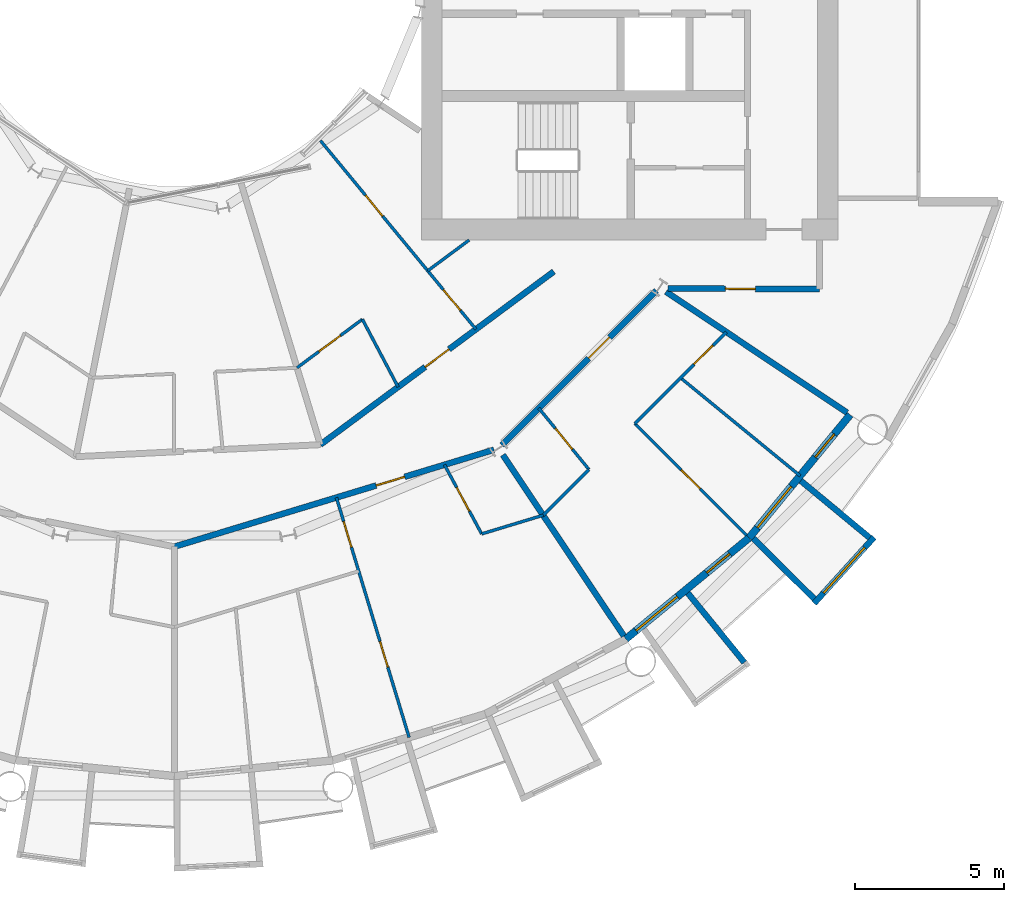
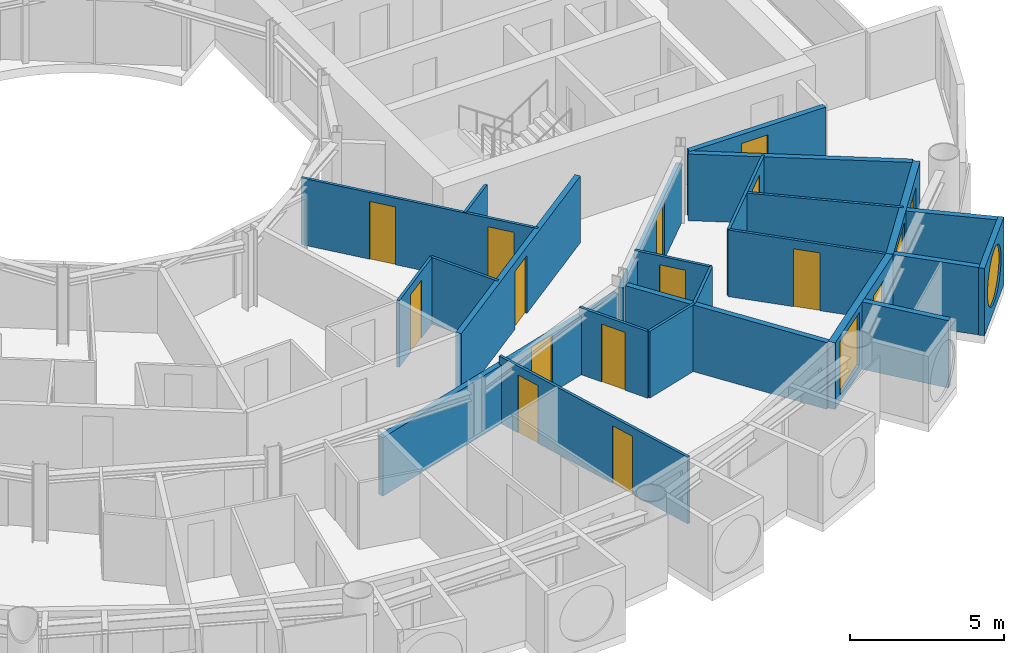
# One storey, part 16 of 25: 24 walls, 15 doors, 3 windows, 18 openings.
"""IFC4 building model written with IfcOpenShell, lengths in metres."""

from ifc_helpers import new_model, si_unit, direction, frame, frame_2d, origin, place, context, subcontext, project, spatial, rectangle, circle, extrude, material, layer, layer_set, type_object, element, fill, save


model = new_model("IFC4")

# Units and contexts
model_context = context("Model", 3, precision=1e-05, world=origin(), true_north=direction((0.0, 1.0)))
body_context = subcontext(model_context, "Body", "Model", "MODEL_VIEW")
ifc_project = project(units=[si_unit("LENGTHUNIT", "METRE"), si_unit("AREAUNIT", "SQUARE_METRE"), si_unit("VOLUMEUNIT", "CUBIC_METRE"), si_unit("PLANEANGLEUNIT", "RADIAN"), si_unit("MASSUNIT", "GRAM", prefix="KILO")], contexts=[model_context])

# Site, building, storey
site_placement = place(None, origin())
site = spatial("IfcSite", under=ifc_project, at=site_placement, CompositionType="ELEMENT")
building_placement = place(site_placement, origin())
building = spatial("IfcBuilding", under=site, at=building_placement, Name="Maasbend Ring Residences", CompositionType="ELEMENT")
storey_placement = place(building_placement, frame((0.0, 0.0, 94.10009765625)))
storey = spatial("IfcBuildingStorey", under=building, at=storey_placement, Name="L27", CompositionType="ELEMENT", Elevation=94.10009765625)

# Wall, opening, door
ifc_material_1 = material(Name="Concrete C30/37", Category="concrete")
ifc_layer_1 = layer(ifc_material_1, 0.199951171875)
ifc_layer_set_1 = layer_set([ifc_layer_1], Name="Concrete C30/37")
wall_type_1 = type_object("IfcWallType", Name="CORRIDOR WALL 200 CONCRETE", PredefinedType="PARTITIONING", material=ifc_layer_set_1)
wall_1_placement = place(storey_placement, frame((11.0, -16.18603515625, 0.0), z_axis=(0.0, 0.0, 1.0), x_axis=(0.707106781187, 0.707106781187, 0.0)))
wall_1 = element("IfcWall", 1, at=wall_1_placement, inside=storey, type_object=wall_type_1, Name="U-L27-w012", PredefinedType="PARTITIONING", context=body_context, shape_type="SweptSolid", body=[
    extrude(rectangle(XDim=7.334228515625, YDim=0.199951171875, at=frame_2d((3.6669921875, 0.0))), origin(), (0.0, 0.0, 1.0), 2.329833984375),
])
opening_1_placement = place(wall_1_placement, frame((4.123046875, 0.0, 0.0)))
opening_1 = element("IfcOpeningElement", 2, at=opening_1_placement, cuts=wall_1, Name="Opening D-2748", PredefinedType="OPENING", context=body_context, shape_type="SweptSolid", body=[
    extrude(rectangle(XDim=1.0, YDim=2.300048828125, at=frame_2d((0.5, 1.14990234375))), frame((0.0, 0.10986328125, 0.0), z_axis=(0.0, -1.0, 0.0), x_axis=(1.0, 0.0, 0.0)), (0.0, 0.0, 1.0), 0.219970703125),
])
ifc_material_2 = material(Name="Timber, fire-rated, painted", Category="wood")
door_type_1 = type_object("IfcDoorType", Name="FLAT ENTRANCE DOOR 1000 X 2300 FIRE-RATED", OperationType="NOTDEFINED", PredefinedType="DOOR", material=ifc_material_2)
door_1_placement = place(opening_1_placement, origin())
door_1 = element("IfcDoor", 3, at=door_1_placement, inside=storey, type_object=door_type_1, Name="D-2748", OperationType="SINGLE_SWING_RIGHT", OverallHeight=2.300048828125, OverallWidth=1.0, PredefinedType="DOOR", context=body_context, shape_type="SweptSolid", body=[
    extrude(rectangle(XDim=1.0, YDim=2.300048828125, at=frame_2d((0.5, 1.14990234375))), frame((0.0, 0.02490234375, 0.0), z_axis=(0.0, -1.0, 0.0), x_axis=(1.0, 0.0, 0.0)), (0.0, 0.0, 1.0), 0.050048828125),
])
fill(opening_1, door_1)

wall_2_placement = place(storey_placement, frame((0.0, -19.60009765625, 0.0), z_axis=(0.0, 0.0, 1.0), x_axis=(0.956932298225, 0.290311172044, 0.0)))
wall_2 = element("IfcWall", 4, at=wall_2_placement, inside=storey, type_object=wall_type_1, Name="U-L27-w014", PredefinedType="PARTITIONING", context=body_context, shape_type="SweptSolid", body=[
    extrude(rectangle(XDim=11.21923828125, YDim=0.199951171875, at=frame_2d((5.609619140625, 0.0))), origin(), (0.0, 0.0, 1.0), 2.329833984375),
])
opening_2_placement = place(wall_2_placement, frame((7.0859375, 0.0, 0.0)))
opening_2 = element("IfcOpeningElement", 5, at=opening_2_placement, cuts=wall_2, Name="Opening D-2742", PredefinedType="OPENING", context=body_context, shape_type="SweptSolid", body=[
    extrude(rectangle(XDim=1.0, YDim=2.300048828125, at=frame_2d((0.5, 1.14990234375))), frame((0.0, 0.10986328125, 0.0), z_axis=(0.0, -1.0, 0.0), x_axis=(1.0, 0.0, 0.0)), (0.0, 0.0, 1.0), 0.219970703125),
])
door_2_placement = place(opening_2_placement, origin())
door_2 = element("IfcDoor", 6, at=door_2_placement, inside=storey, type_object=door_type_1, Name="D-2742", OperationType="SINGLE_SWING_RIGHT", OverallHeight=2.300048828125, OverallWidth=1.0, PredefinedType="DOOR", context=body_context, shape_type="SweptSolid", body=[
    extrude(rectangle(XDim=1.0, YDim=2.300048828125, at=frame_2d((0.5, 1.14990234375))), frame((0.0, 0.02490234375, 0.0), z_axis=(0.0, -1.0, 0.0), x_axis=(1.0, 0.0, 0.0)), (0.0, 0.0, 1.0), 0.050048828125),
])
fill(opening_2, door_2)

wall_3_placement = place(storey_placement, frame((4.906005859375, -16.172119140625, 0.0), z_axis=(0.0, 0.0, 1.0), x_axis=(0.803191461888, 0.595720971219, 0.0)))
wall_3 = element("IfcWall", 7, at=wall_3_placement, inside=storey, type_object=wall_type_1, Name="U-L27-w016", PredefinedType="PARTITIONING", context=body_context, shape_type="SweptSolid", body=[
    extrude(rectangle(XDim=9.760009765625, YDim=0.199951171875, at=frame_2d((4.8798828125, 0.0))), origin(), (0.0, 0.0, 1.0), 2.64990234375),
])
opening_3_placement = place(wall_3_placement, frame((4.3798828125, 0.0, 0.0)))
opening_3 = element("IfcOpeningElement", 8, at=opening_3_placement, cuts=wall_3, Name="Opening D-2759", PredefinedType="OPENING", context=body_context, shape_type="SweptSolid", body=[
    extrude(rectangle(XDim=1.0, YDim=2.300048828125, at=frame_2d((0.5, 1.14990234375))), frame((0.0, 0.10986328125, 0.0), z_axis=(0.0, -1.0, 0.0), x_axis=(1.0, 0.0, 0.0)), (0.0, 0.0, 1.0), 0.219970703125),
])
door_3_placement = place(opening_3_placement, origin())
door_3 = element("IfcDoor", 9, at=door_3_placement, inside=storey, type_object=door_type_1, Name="D-2759", OperationType="SINGLE_SWING_LEFT", OverallHeight=2.300048828125, OverallWidth=1.0, PredefinedType="DOOR", context=body_context, shape_type="SweptSolid", body=[
    extrude(rectangle(XDim=1.0, YDim=2.300048828125, at=frame_2d((0.5, 1.14990234375))), frame((0.0, 0.02490234375, 0.0), z_axis=(0.0, -1.0, 0.0), x_axis=(1.0, 0.0, 0.0)), (0.0, 0.0, 1.0), 0.050048828125),
])
fill(opening_3, door_3)

wall_4_placement = place(storey_placement, frame((16.587890625, -10.925048828125, 0.0), z_axis=(0.0, 0.0, 1.0), x_axis=(0.999988019025, -0.004895079807, 0.0)))
wall_4 = element("IfcWall", 10, at=wall_4_placement, inside=storey, type_object=wall_type_1, Name="U-L27-w025", PredefinedType="PARTITIONING", context=body_context, shape_type="SweptSolid", body=[
    extrude(rectangle(XDim=5.087158203125, YDim=0.199951171875, at=frame_2d((2.54345703125, 0.0))), origin(), (0.0, 0.0, 1.0), 2.64990234375),
])
opening_4_placement = place(wall_4_placement, frame((1.925048828125, 0.0, 0.0)))
opening_4 = element("IfcOpeningElement", 11, at=opening_4_placement, cuts=wall_4, Name="Opening D-2765", PredefinedType="OPENING", context=body_context, shape_type="SweptSolid", body=[
    extrude(rectangle(XDim=1.0, YDim=2.300048828125, at=frame_2d((0.5, 1.14990234375))), frame((0.0, 0.10986328125, 0.0), z_axis=(0.0, -1.0, 0.0), x_axis=(1.0, 0.0, 0.0)), (0.0, 0.0, 1.0), 0.219970703125),
])
ifc_material_3 = material(Name="Timber, painted", Category="wood")
door_type_2 = type_object("IfcDoorType", Name="ROOM DOOR 1000 X 2300", OperationType="NOTDEFINED", PredefinedType="DOOR", material=ifc_material_3)
door_4_placement = place(opening_4_placement, origin())
door_4 = element("IfcDoor", 12, at=door_4_placement, inside=storey, type_object=door_type_2, Name="D-2765", OperationType="SINGLE_SWING_LEFT", OverallHeight=2.300048828125, OverallWidth=1.0, PredefinedType="DOOR", context=body_context, shape_type="SweptSolid", body=[
    extrude(rectangle(XDim=1.0, YDim=2.300048828125, at=frame_2d((0.5, 1.14990234375))), frame((0.0, 0.02490234375, 0.0), z_axis=(0.0, -1.0, 0.0), x_axis=(1.0, 0.0, 0.0)), (0.0, 0.0, 1.0), 0.050048828125),
])
fill(opening_4, door_4)

# Wall
ifc_material_4 = material(Name="Pale anodised aluminium panel", Category="aluminium")
ifc_layer_2 = layer(ifc_material_4, 0.199951171875)
ifc_layer_set_2 = layer_set([ifc_layer_2], Name="EW-BOX")
wall_type_2 = type_object("IfcWallType", Name="EW-BOX", PredefinedType="SOLIDWALL", material=ifc_layer_set_2)
wall_5_placement = place(storey_placement, frame((17.24609375, -21.155029296875, -0.030029296875), z_axis=(0.0, 0.0, 1.0), x_axis=(0.631741648902, -0.775179004516, 0.0)))
element("IfcWall", 13, at=wall_5_placement, inside=storey, type_object=wall_type_2, Name="Box side wall S17 right", PredefinedType="SOLIDWALL", context=body_context, shape_type="SweptSolid", body=[
    extrude(rectangle(XDim=3.005859375, YDim=0.199951171875, at=frame_2d((1.5029296875, 0.0))), origin(), (0.0, 0.0, 1.0), 2.679931640625),
])

# Wall, opening, window
wall_6_placement = place(storey_placement, frame((21.492919921875, -21.5, -0.030029296875), z_axis=(0.0, 0.0, 1.0), x_axis=(0.671506829416, 0.740998365753, 0.0)))
wall_6 = element("IfcWall", 14, at=wall_6_placement, inside=storey, type_object=wall_type_2, Name="Box front S19", PredefinedType="SOLIDWALL", context=body_context, shape_type="SweptSolid", body=[
    extrude(rectangle(XDim=2.9931640625, YDim=0.199951171875, at=frame_2d((1.49658203125, 0.0))), origin(), (0.0, 0.0, 1.0), 2.679931640625),
])
opening_5_placement = place(wall_6_placement, frame((0.45654296875, 0.0, 0.330078125)))
opening_5 = element("IfcOpeningElement", 15, at=opening_5_placement, cuts=wall_6, Name="Opening W-RD", PredefinedType="OPENING", context=body_context, shape_type="SweptSolid", body=[
    extrude(circle(Radius=1.0400390625, at=frame_2d((1.0400390625, 1.0400390625))), frame((0.0, 0.10986328125, 0.0), z_axis=(0.0, -1.0, 0.0), x_axis=(1.0, 0.0, 0.0)), (0.0, 0.0, 1.0), 0.219970703125),
])
ifc_material_5 = material(Name="Aluminium and clear glass", Category="aluminium")
window_type_1 = type_object("IfcWindowType", Name="W-RD", PartitioningType="SINGLE_PANEL", PredefinedType="WINDOW", material=ifc_material_5)
window_1_placement = place(opening_5_placement, origin())
window_1 = element("IfcWindow", 16, at=window_1_placement, inside=storey, type_object=window_type_1, Name="Round window S19", OverallHeight=2.080078125, OverallWidth=2.080078125, PartitioningType="SINGLE_PANEL", PredefinedType="WINDOW", context=body_context, shape_type="SweptSolid", body=[
    extrude(circle(Radius=1.0400390625, at=frame_2d((1.0400390625, 1.0400390625))), frame((0.0, 0.030029296875, 0.0), z_axis=(0.0, -1.0, 0.0), x_axis=(1.0, 0.0, 0.0)), (0.0, 0.0, 1.0), 0.06005859375),
])
fill(opening_5, window_1)

# Walls
wall_7_placement = place(storey_placement, frame((19.449951171875, -19.322998046875, -0.030029296875), z_axis=(0.0, 0.0, 1.0), x_axis=(0.709727076896, -0.704476739375, 0.0)))
element("IfcWall", 17, at=wall_7_placement, inside=storey, type_object=wall_type_2, Name="Box side wall S19 left", PredefinedType="SOLIDWALL", context=body_context, shape_type="SweptSolid", body=[
    extrude(rectangle(XDim=2.883056640625, YDim=0.199951171875, at=frame_2d((1.44140625, 0.0))), origin(), (0.0, 0.0, 1.0), 2.679931640625),
])
wall_8_placement = place(storey_placement, frame((21.041015625, -17.384033203125, -0.030029296875), z_axis=(0.0, 0.0, 1.0), x_axis=(0.770784861449, -0.63709551667, 0.0)))
element("IfcWall", 18, at=wall_8_placement, inside=storey, type_object=wall_type_2, Name="Box side wall S19 right", PredefinedType="SOLIDWALL", context=body_context, shape_type="SweptSolid", body=[
    extrude(rectangle(XDim=3.005859375, YDim=0.199951171875, at=frame_2d((1.5029296875, 0.0))), origin(), (0.0, 0.0, 1.0), 2.679931640625),
])

# Wall, openings, door, window
ifc_material_6 = material(Name="Aluminium clad insulated panel", Category="aluminium")
ifc_layer_3 = layer(ifc_material_6, 0.25)
ifc_layer_set_3 = layer_set([ifc_layer_3], Name="EW-GL")
wall_type_3 = type_object("IfcWallType", Name="EW-GL", PredefinedType="SOLIDWALL", material=ifc_layer_set_3)
wall_9_placement = place(storey_placement, frame((15.1669921875, -22.698974609375, 0.0), z_axis=(0.0, 0.0, 1.0), x_axis=(0.773019449054, 0.634382322723, 0.0)))
wall_9 = element("IfcWall", 19, at=wall_9_placement, inside=storey, type_object=wall_type_3, Name="External wall S09", PredefinedType="SOLIDWALL", context=body_context, shape_type="SweptSolid", body=[
    extrude(rectangle(XDim=5.351806640625, YDim=0.25, at=frame_2d((2.67578125, 0.0))), origin(), (0.0, 0.0, 1.0), 2.64990234375),
])
opening_6_placement = place(wall_9_placement, frame((0.441162109375, 0.0, 0.300048828125)))
opening_6 = element("IfcOpeningElement", 20, at=opening_6_placement, cuts=wall_9, Name="Opening W-BX", PredefinedType="OPENING", context=body_context, shape_type="SweptSolid", body=[
    extrude(rectangle(XDim=1.800048828125, YDim=2.10009765625, at=frame_2d((0.89990234375, 1.050048828125))), frame((0.0, 0.135009765625, 0.0), z_axis=(0.0, -1.0, 0.0), x_axis=(1.0, 0.0, 0.0)), (0.0, 0.0, 1.0), 0.27001953125),
])
opening_7_placement = place(wall_9_placement, frame((3.510498046875, 0.0, 0.0)))
opening_7 = element("IfcOpeningElement", 21, at=opening_7_placement, cuts=wall_9, Name="Opening D-LG", PredefinedType="OPENING", context=body_context, shape_type="SweptSolid", body=[
    extrude(rectangle(XDim=1.0, YDim=2.199951171875, at=frame_2d((0.5, 1.10009765625))), frame((0.0, 0.135009765625, 0.0), z_axis=(0.0, -1.0, 0.0), x_axis=(1.0, 0.0, 0.0)), (0.0, 0.0, 1.0), 0.27001953125),
])
ifc_material_7 = material(Name="Aluminium and clear glass", Category="aluminium")
door_type_3 = type_object("IfcDoorType", Name="D-LG", OperationType="SINGLE_SWING_LEFT", PredefinedType="DOOR", material=ifc_material_7)
door_5_placement = place(opening_7_placement, origin())
door_5 = element("IfcDoor", 22, at=door_5_placement, inside=storey, type_object=door_type_3, Name="Loggia door S18", OperationType="SINGLE_SWING_LEFT", OverallHeight=2.199951171875, OverallWidth=1.0, PredefinedType="DOOR", context=body_context, shape_type="SweptSolid", body=[
    extrude(rectangle(XDim=1.0, YDim=2.199951171875, at=frame_2d((0.5, 1.10009765625))), frame((0.0, 0.02490234375, 0.0), z_axis=(0.0, -1.0, 0.0), x_axis=(1.0, 0.0, 0.0)), (0.0, 0.0, 1.0), 0.050048828125),
])
fill(opening_7, door_5)
ifc_material_8 = material(Name="Aluminium and clear glass", Category="aluminium")
window_type_2 = type_object("IfcWindowType", Name="W-BX", PartitioningType="DOUBLE_PANEL_VERTICAL", PredefinedType="WINDOW", material=ifc_material_8)
window_2_placement = place(opening_6_placement, origin())
window_2 = element("IfcWindow", 23, at=window_2_placement, inside=storey, type_object=window_type_2, Name="Window S17 room to box", OverallHeight=2.10009765625, OverallWidth=1.800048828125, PartitioningType="SINGLE_PANEL", PredefinedType="WINDOW", context=body_context, shape_type="SweptSolid", body=[
    extrude(rectangle(XDim=1.800048828125, YDim=2.10009765625, at=frame_2d((0.89990234375, 1.050048828125))), frame((0.0, 0.030029296875, 0.0), z_axis=(0.0, -1.0, 0.0), x_axis=(1.0, 0.0, 0.0)), (0.0, 0.0, 1.0), 0.06005859375),
])
fill(opening_6, window_2)

wall_10_placement = place(storey_placement, frame((19.303955078125, -19.303955078125, 0.0), z_axis=(0.0, 0.0, 1.0), x_axis=(0.634382322723, 0.773019449054, 0.0)))
wall_10 = element("IfcWall", 24, at=wall_10_placement, inside=storey, type_object=wall_type_3, Name="External wall S10", PredefinedType="SOLIDWALL", context=body_context, shape_type="SweptSolid", body=[
    extrude(rectangle(XDim=5.351806640625, YDim=0.25, at=frame_2d((2.67578125, 0.0))), origin(), (0.0, 0.0, 1.0), 2.64990234375),
])
opening_8_placement = place(wall_10_placement, frame((0.441162109375, 0.0, 0.300048828125)))
opening_8 = element("IfcOpeningElement", 25, at=opening_8_placement, cuts=wall_10, Name="Opening W-BX", PredefinedType="OPENING", context=body_context, shape_type="SweptSolid", body=[
    extrude(rectangle(XDim=1.800048828125, YDim=2.10009765625, at=frame_2d((0.89990234375, 1.050048828125))), frame((0.0, 0.135009765625, 0.0), z_axis=(0.0, -1.0, 0.0), x_axis=(1.0, 0.0, 0.0)), (0.0, 0.0, 1.0), 0.27001953125),
])
opening_9_placement = place(wall_10_placement, frame((3.510498046875, 0.0, 0.0)))
opening_9 = element("IfcOpeningElement", 26, at=opening_9_placement, cuts=wall_10, Name="Opening D-LG", PredefinedType="OPENING", context=body_context, shape_type="SweptSolid", body=[
    extrude(rectangle(XDim=1.0, YDim=2.199951171875, at=frame_2d((0.5, 1.10009765625))), frame((0.0, 0.135009765625, 0.0), z_axis=(0.0, -1.0, 0.0), x_axis=(1.0, 0.0, 0.0)), (0.0, 0.0, 1.0), 0.27001953125),
])
door_6_placement = place(opening_9_placement, origin())
door_6 = element("IfcDoor", 27, at=door_6_placement, inside=storey, type_object=door_type_3, Name="Loggia door S20", OperationType="SINGLE_SWING_LEFT", OverallHeight=2.199951171875, OverallWidth=1.0, PredefinedType="DOOR", context=body_context, shape_type="SweptSolid", body=[
    extrude(rectangle(XDim=1.0, YDim=2.199951171875, at=frame_2d((0.5, 1.10009765625))), frame((0.0, 0.02490234375, 0.0), z_axis=(0.0, -1.0, 0.0), x_axis=(1.0, 0.0, 0.0)), (0.0, 0.0, 1.0), 0.050048828125),
])
fill(opening_9, door_6)
window_3_placement = place(opening_8_placement, origin())
window_3 = element("IfcWindow", 28, at=window_3_placement, inside=storey, type_object=window_type_2, Name="Window S19 room to box", OverallHeight=2.10009765625, OverallWidth=1.800048828125, PartitioningType="SINGLE_PANEL", PredefinedType="WINDOW", context=body_context, shape_type="SweptSolid", body=[
    extrude(rectangle(XDim=1.800048828125, YDim=2.10009765625, at=frame_2d((0.89990234375, 1.050048828125))), frame((0.0, 0.030029296875, 0.0), z_axis=(0.0, -1.0, 0.0), x_axis=(1.0, 0.0, 0.0)), (0.0, 0.0, 1.0), 0.06005859375),
])
fill(opening_8, window_3)

# Wall
ifc_material_9 = material(Name="Gypsum board on steel studs", Category="steel")
ifc_layer_4 = layer(ifc_material_9, 0.10009765625)
ifc_layer_set_4 = layer_set([ifc_layer_4], Name="PARTITION 100 GYPSUM")
wall_type_4 = type_object("IfcWallType", Name="PARTITION 100 GYPSUM", PredefinedType="PARTITIONING", material=ifc_layer_set_4)
wall_11_placement = place(storey_placement, frame((12.388916015625, -18.5419921875, 0.0), z_axis=(0.0, 0.0, 1.0), x_axis=(0.707106781187, 0.707106781187, 0.0)))
element("IfcWall", 29, at=wall_11_placement, inside=storey, type_object=wall_type_4, Name="U-L27-w003", PredefinedType="PARTITIONING", context=body_context, shape_type="SweptSolid", body=[
    extrude(rectangle(XDim=2.17529296875, YDim=0.10009765625, at=frame_2d((1.087646484375, 0.0))), origin(), (0.0, 0.0, 1.0), 2.64990234375),
])

# Wall, opening, door
wall_12_placement = place(storey_placement, frame((15.468017578125, -15.462890625, 0.0), z_axis=(0.0, 0.0, 1.0), x_axis=(0.707106781187, 0.707106781187, 0.0)))
wall_12 = element("IfcWall", 30, at=wall_12_placement, inside=storey, type_object=wall_type_4, Name="U-L27-w004", PredefinedType="PARTITIONING", context=body_context, shape_type="SweptSolid", body=[
    extrude(rectangle(XDim=4.351318359375, YDim=0.10009765625, at=frame_2d((2.17578125, 0.0))), origin(), (0.0, 0.0, 1.0), 2.64990234375),
])
opening_10_placement = place(wall_12_placement, frame((2.80810546875, 0.0, 0.0)))
opening_10 = element("IfcOpeningElement", 31, at=opening_10_placement, cuts=wall_12, Name="Opening D-2751", PredefinedType="OPENING", context=body_context, shape_type="SweptSolid", body=[
    extrude(rectangle(XDim=0.89990234375, YDim=2.300048828125, at=frame_2d((0.449951171875, 1.14990234375))), frame((0.0, 0.06005859375, 0.0), z_axis=(0.0, -1.0, 0.0), x_axis=(1.0, 0.0, 0.0)), (0.0, 0.0, 1.0), 0.1201171875),
])
ifc_material_10 = material(Name="Timber, painted", Category="wood")
door_type_4 = type_object("IfcDoorType", Name="INTERNAL DOOR 900 X 2300", OperationType="NOTDEFINED", PredefinedType="DOOR", material=ifc_material_10)
door_7_placement = place(opening_10_placement, origin())
door_7 = element("IfcDoor", 32, at=door_7_placement, inside=storey, type_object=door_type_4, Name="D-2751", OperationType="SINGLE_SWING_RIGHT", OverallHeight=2.300048828125, OverallWidth=0.89990234375, PredefinedType="DOOR", context=body_context, shape_type="SweptSolid", body=[
    extrude(rectangle(XDim=0.89990234375, YDim=2.300048828125, at=frame_2d((0.449951171875, 1.14990234375))), frame((0.0, 0.02490234375, 0.0), z_axis=(0.0, -1.0, 0.0), x_axis=(1.0, 0.0, 0.0)), (0.0, 0.0, 1.0), 0.050048828125),
])
fill(opening_10, door_7)

# Wall
wall_13_placement = place(storey_placement, frame((10.326904296875, -19.16796875, 0.0), z_axis=(0.0, 0.0, 1.0), x_axis=(0.956877769253, 0.290490851335, 0.0)))
element("IfcWall", 33, at=wall_13_placement, inside=storey, type_object=wall_type_4, Name="U-L27-w010", PredefinedType="PARTITIONING", context=body_context, shape_type="SweptSolid", body=[
    extrude(rectangle(XDim=2.158203125, YDim=0.10009765625, at=frame_2d((1.0791015625, 0.0))), origin(), (0.0, 0.0, 1.0), 2.64990234375),
])

# Wall, opening, door
wall_14_placement = place(storey_placement, frame((4.123046875, -13.589111328125, 0.0), z_axis=(0.0, 0.0, 1.0), x_axis=(0.803128348509, 0.595806055542, 0.0)))
wall_14 = element("IfcWall", 34, at=wall_14_placement, inside=storey, type_object=wall_type_4, Name="U-L27-w020", PredefinedType="PARTITIONING", context=body_context, shape_type="SweptSolid", body=[
    extrude(rectangle(XDim=2.734375, YDim=0.10009765625, at=frame_2d((1.3671875, 0.0))), origin(), (0.0, 0.0, 1.0), 2.64990234375),
])
opening_11_placement = place(wall_14_placement, frame((0.916015625, 0.0, 0.0)))
opening_11 = element("IfcOpeningElement", 35, at=opening_11_placement, cuts=wall_14, Name="Opening D-2760", PredefinedType="OPENING", context=body_context, shape_type="SweptSolid", body=[
    extrude(rectangle(XDim=0.89990234375, YDim=2.300048828125, at=frame_2d((0.449951171875, 1.14990234375))), frame((0.0, 0.06005859375, 0.0), z_axis=(0.0, -1.0, 0.0), x_axis=(1.0, 0.0, 0.0)), (0.0, 0.0, 1.0), 0.1201171875),
])
door_8_placement = place(opening_11_placement, origin())
door_8 = element("IfcDoor", 36, at=door_8_placement, inside=storey, type_object=door_type_4, Name="D-2760", OperationType="SINGLE_SWING_LEFT", OverallHeight=2.300048828125, OverallWidth=0.89990234375, PredefinedType="DOOR", context=body_context, shape_type="SweptSolid", body=[
    extrude(rectangle(XDim=0.89990234375, YDim=2.300048828125, at=frame_2d((0.449951171875, 1.14990234375))), frame((0.0, 0.02490234375, 0.0), z_axis=(0.0, -1.0, 0.0), x_axis=(1.0, 0.0, 0.0)), (0.0, 0.0, 1.0), 0.050048828125),
])
fill(opening_11, door_8)

# Wall
wall_15_placement = place(storey_placement, frame((8.512939453125, -10.33203125, 0.0), z_axis=(0.0, 0.0, 1.0), x_axis=(0.803135014325, 0.595797070121, 0.0)))
element("IfcWall", 37, at=wall_15_placement, inside=storey, type_object=wall_type_4, Name="U-L27-w021", PredefinedType="PARTITIONING", context=body_context, shape_type="SweptSolid", body=[
    extrude(rectangle(XDim=1.732177734375, YDim=0.10009765625, at=frame_2d((0.8662109375, 0.0))), origin(), (0.0, 0.0, 1.0), 2.64990234375),
])

# Wall, openings, doors
wall_16_placement = place(storey_placement, frame((4.907958984375, -5.958984375, 0.0), z_axis=(0.0, 0.0, 1.0), x_axis=(0.636105207978, -0.771602335652, 0.0)))
wall_16 = element("IfcWall", 38, at=wall_16_placement, inside=storey, type_object=wall_type_4, Name="U-L27-w067", PredefinedType="PARTITIONING", context=body_context, shape_type="SweptSolid", body=[
    extrude(rectangle(XDim=8.212646484375, YDim=0.10009765625, at=frame_2d((4.1064453125, 0.0))), origin(), (0.0, 0.0, 1.0), 2.64990234375),
])
opening_12_placement = place(wall_16_placement, frame((6.489990234375, 0.0, 0.0)))
opening_12 = element("IfcOpeningElement", 39, at=opening_12_placement, cuts=wall_16, Name="Opening D-2761", PredefinedType="OPENING", context=body_context, shape_type="SweptSolid", body=[
    extrude(rectangle(XDim=0.89990234375, YDim=2.300048828125, at=frame_2d((0.449951171875, 1.14990234375))), frame((0.0, 0.06005859375, 0.0), z_axis=(0.0, -1.0, 0.0), x_axis=(1.0, 0.0, 0.0)), (0.0, 0.0, 1.0), 0.1201171875),
])
opening_13_placement = place(wall_16_placement, frame((2.384033203125, 0.0, 0.0)))
opening_13 = element("IfcOpeningElement", 40, at=opening_13_placement, cuts=wall_16, Name="Opening D-2762", PredefinedType="OPENING", context=body_context, shape_type="SweptSolid", body=[
    extrude(rectangle(XDim=0.89990234375, YDim=2.300048828125, at=frame_2d((0.449951171875, 1.14990234375))), frame((0.0, 0.06005859375, 0.0), z_axis=(0.0, -1.0, 0.0), x_axis=(1.0, 0.0, 0.0)), (0.0, 0.0, 1.0), 0.1201171875),
])
door_9_placement = place(opening_12_placement, origin())
door_9 = element("IfcDoor", 41, at=door_9_placement, inside=storey, type_object=door_type_4, Name="D-2761", OperationType="SINGLE_SWING_RIGHT", OverallHeight=2.300048828125, OverallWidth=0.89990234375, PredefinedType="DOOR", context=body_context, shape_type="SweptSolid", body=[
    extrude(rectangle(XDim=0.89990234375, YDim=2.300048828125, at=frame_2d((0.449951171875, 1.14990234375))), frame((0.0, 0.02490234375, 0.0), z_axis=(0.0, -1.0, 0.0), x_axis=(1.0, 0.0, 0.0)), (0.0, 0.0, 1.0), 0.050048828125),
])
fill(opening_12, door_9)
door_10_placement = place(opening_13_placement, origin())
door_10 = element("IfcDoor", 42, at=door_10_placement, inside=storey, type_object=door_type_4, Name="D-2762", OperationType="SINGLE_SWING_LEFT", OverallHeight=2.300048828125, OverallWidth=0.89990234375, PredefinedType="DOOR", context=body_context, shape_type="SweptSolid", body=[
    extrude(rectangle(XDim=0.89990234375, YDim=2.300048828125, at=frame_2d((0.449951171875, 1.14990234375))), frame((0.0, 0.02490234375, 0.0), z_axis=(0.0, -1.0, 0.0), x_axis=(1.0, 0.0, 0.0)), (0.0, 0.0, 1.0), 0.050048828125),
])
fill(opening_13, door_10)

wall_17_placement = place(storey_placement, frame((5.445068359375, -17.947998046875, 0.0), z_axis=(0.0, 0.0, 1.0), x_axis=(0.290158700753, -0.956978541231, 0.0)))
wall_17 = element("IfcWall", 43, at=wall_17_placement, inside=storey, type_object=wall_type_4, Name="U-L27-w069", PredefinedType="PARTITIONING", context=body_context, shape_type="SweptSolid", body=[
    extrude(rectangle(XDim=8.419189453125, YDim=0.10009765625, at=frame_2d((4.20947265625, 0.0))), origin(), (0.0, 0.0, 1.0), 2.64990234375),
])
opening_14_placement = place(wall_17_placement, frame((0.842041015625, 0.0, 0.0)))
opening_14 = element("IfcOpeningElement", 44, at=opening_14_placement, cuts=wall_17, Name="Opening D-2744", PredefinedType="OPENING", context=body_context, shape_type="SweptSolid", body=[
    extrude(rectangle(XDim=0.89990234375, YDim=2.300048828125, at=frame_2d((0.449951171875, 1.14990234375))), frame((0.0, 0.06005859375, 0.0), z_axis=(0.0, -1.0, 0.0), x_axis=(1.0, 0.0, 0.0)), (0.0, 0.0, 1.0), 0.1201171875),
])
opening_15_placement = place(wall_17_placement, frame((5.052001953125, 0.0, 0.0)))
opening_15 = element("IfcOpeningElement", 45, at=opening_15_placement, cuts=wall_17, Name="Opening D-2745", PredefinedType="OPENING", context=body_context, shape_type="SweptSolid", body=[
    extrude(rectangle(XDim=0.89990234375, YDim=2.300048828125, at=frame_2d((0.449951171875, 1.14990234375))), frame((0.0, 0.06005859375, 0.0), z_axis=(0.0, -1.0, 0.0), x_axis=(1.0, 0.0, 0.0)), (0.0, 0.0, 1.0), 0.1201171875),
])
door_11_placement = place(opening_14_placement, origin())
door_11 = element("IfcDoor", 46, at=door_11_placement, inside=storey, type_object=door_type_4, Name="D-2744", OperationType="SINGLE_SWING_LEFT", OverallHeight=2.300048828125, OverallWidth=0.89990234375, PredefinedType="DOOR", context=body_context, shape_type="SweptSolid", body=[
    extrude(rectangle(XDim=0.89990234375, YDim=2.300048828125, at=frame_2d((0.449951171875, 1.14990234375))), frame((0.0, 0.02490234375, 0.0), z_axis=(0.0, -1.0, 0.0), x_axis=(1.0, 0.0, 0.0)), (0.0, 0.0, 1.0), 0.050048828125),
])
fill(opening_14, door_11)
door_12_placement = place(opening_15_placement, origin())
door_12 = element("IfcDoor", 47, at=door_12_placement, inside=storey, type_object=door_type_4, Name="D-2745", OperationType="SINGLE_SWING_RIGHT", OverallHeight=2.300048828125, OverallWidth=0.89990234375, PredefinedType="DOOR", context=body_context, shape_type="SweptSolid", body=[
    extrude(rectangle(XDim=0.89990234375, YDim=2.300048828125, at=frame_2d((0.449951171875, 1.14990234375))), frame((0.0, 0.02490234375, 0.0), z_axis=(0.0, -1.0, 0.0), x_axis=(1.0, 0.0, 0.0)), (0.0, 0.0, 1.0), 0.050048828125),
])
fill(opening_15, door_12)

# Wall
wall_18_placement = place(storey_placement, frame((6.31689453125, -11.9599609375, 0.0), z_axis=(0.0, 0.0, 1.0), x_axis=(0.466880254022, -0.884320546185, 0.0)))
element("IfcWall", 48, at=wall_18_placement, inside=storey, type_object=wall_type_4, Name="U-L27-w071", PredefinedType="PARTITIONING", context=body_context, shape_type="SweptSolid", body=[
    extrude(rectangle(XDim=2.57275390625, YDim=0.10009765625, at=frame_2d((1.286376953125, 0.0))), origin(), (0.0, 0.0, 1.0), 2.64990234375),
])

# Wall, opening, door
wall_19_placement = place(storey_placement, frame((9.073974609375, -16.846923828125, 0.0), z_axis=(0.0, 0.0, 1.0), x_axis=(0.474160570331, -0.880438387136, 0.0)))
wall_19 = element("IfcWall", 49, at=wall_19_placement, inside=storey, type_object=wall_type_4, Name="U-L27-w073", PredefinedType="PARTITIONING", context=body_context, shape_type="SweptSolid", body=[
    extrude(rectangle(XDim=2.63623046875, YDim=0.10009765625, at=frame_2d((1.318115234375, 0.0))), origin(), (0.0, 0.0, 1.0), 2.64990234375),
])
opening_16_placement = place(wall_19_placement, frame((0.867919921875, 0.0, 0.0)))
opening_16 = element("IfcOpeningElement", 50, at=opening_16_placement, cuts=wall_19, Name="Opening D-2743", PredefinedType="OPENING", context=body_context, shape_type="SweptSolid", body=[
    extrude(rectangle(XDim=0.89990234375, YDim=2.300048828125, at=frame_2d((0.449951171875, 1.14990234375))), frame((0.0, 0.06005859375, 0.0), z_axis=(0.0, -1.0, 0.0), x_axis=(1.0, 0.0, 0.0)), (0.0, 0.0, 1.0), 0.1201171875),
])
door_13_placement = place(opening_16_placement, origin())
door_13 = element("IfcDoor", 51, at=door_13_placement, inside=storey, type_object=door_type_4, Name="D-2743", OperationType="SINGLE_SWING_RIGHT", OverallHeight=2.300048828125, OverallWidth=0.89990234375, PredefinedType="DOOR", context=body_context, shape_type="SweptSolid", body=[
    extrude(rectangle(XDim=0.89990234375, YDim=2.300048828125, at=frame_2d((0.449951171875, 1.14990234375))), frame((0.0, 0.02490234375, 0.0), z_axis=(0.0, -1.0, 0.0), x_axis=(1.0, 0.0, 0.0)), (0.0, 0.0, 1.0), 0.050048828125),
])
fill(opening_16, door_13)

wall_20_placement = place(storey_placement, frame((12.240966796875, -14.945068359375, 0.0), z_axis=(0.0, 0.0, 1.0), x_axis=(0.633582447834, -0.77367517848, 0.0)))
wall_20 = element("IfcWall", 52, at=wall_20_placement, inside=storey, type_object=wall_type_4, Name="U-L27-w077", PredefinedType="PARTITIONING", context=body_context, shape_type="SweptSolid", body=[
    extrude(rectangle(XDim=2.6611328125, YDim=0.10009765625, at=frame_2d((1.33056640625, 0.0))), origin(), (0.0, 0.0, 1.0), 2.64990234375),
])
opening_17_placement = place(wall_20_placement, frame((0.881103515625, 0.0, 0.0)))
opening_17 = element("IfcOpeningElement", 53, at=opening_17_placement, cuts=wall_20, Name="Opening D-2749", PredefinedType="OPENING", context=body_context, shape_type="SweptSolid", body=[
    extrude(rectangle(XDim=0.89990234375, YDim=2.300048828125, at=frame_2d((0.449951171875, 1.14990234375))), frame((0.0, 0.06005859375, 0.0), z_axis=(0.0, -1.0, 0.0), x_axis=(1.0, 0.0, 0.0)), (0.0, 0.0, 1.0), 0.1201171875),
])
door_14_placement = place(opening_17_placement, origin())
door_14 = element("IfcDoor", 54, at=door_14_placement, inside=storey, type_object=door_type_4, Name="D-2749", OperationType="SINGLE_SWING_LEFT", OverallHeight=2.300048828125, OverallWidth=0.89990234375, PredefinedType="DOOR", context=body_context, shape_type="SweptSolid", body=[
    extrude(rectangle(XDim=0.89990234375, YDim=2.300048828125, at=frame_2d((0.449951171875, 1.14990234375))), frame((0.0, 0.02490234375, 0.0), z_axis=(0.0, -1.0, 0.0), x_axis=(1.0, 0.0, 0.0)), (0.0, 0.0, 1.0), 0.050048828125),
])
fill(opening_17, door_14)

wall_21_placement = place(storey_placement, frame((15.465087890625, -15.465087890625, 0.0), z_axis=(0.0, 0.0, 1.0), x_axis=(0.707106781187, -0.707106781187, 0.0)))
wall_21 = element("IfcWall", 55, at=wall_21_placement, inside=storey, type_object=wall_type_4, Name="U-L27-w080", PredefinedType="PARTITIONING", context=body_context, shape_type="SweptSolid", body=[
    extrude(rectangle(XDim=5.3046875, YDim=0.10009765625, at=frame_2d((2.65234375, 0.0))), origin(), (0.0, 0.0, 1.0), 2.64990234375),
])
opening_18_placement = place(wall_21_placement, frame((2.201904296875, 0.0, 0.0)))
opening_18 = element("IfcOpeningElement", 56, at=opening_18_placement, cuts=wall_21, Name="Opening D-2750", PredefinedType="OPENING", context=body_context, shape_type="SweptSolid", body=[
    extrude(rectangle(XDim=0.89990234375, YDim=2.300048828125, at=frame_2d((0.449951171875, 1.14990234375))), frame((0.0, 0.06005859375, 0.0), z_axis=(0.0, -1.0, 0.0), x_axis=(1.0, 0.0, 0.0)), (0.0, 0.0, 1.0), 0.1201171875),
])
door_15_placement = place(opening_18_placement, origin())
door_15 = element("IfcDoor", 57, at=door_15_placement, inside=storey, type_object=door_type_4, Name="D-2750", OperationType="SINGLE_SWING_RIGHT", OverallHeight=2.300048828125, OverallWidth=0.89990234375, PredefinedType="DOOR", context=body_context, shape_type="SweptSolid", body=[
    extrude(rectangle(XDim=0.89990234375, YDim=2.300048828125, at=frame_2d((0.449951171875, 1.14990234375))), frame((0.0, 0.02490234375, 0.0), z_axis=(0.0, -1.0, 0.0), x_axis=(1.0, 0.0, 0.0)), (0.0, 0.0, 1.0), 0.050048828125),
])
fill(opening_18, door_15)

# Walls
wall_22_placement = place(storey_placement, frame((17.00390625, -13.927001953125, 0.0), z_axis=(0.0, 0.0, 1.0), x_axis=(0.773517471898, -0.633774976367, 0.0)))
element("IfcWall", 58, at=wall_22_placement, inside=storey, type_object=wall_type_4, Name="U-L27-w084", PredefinedType="PARTITIONING", context=body_context, shape_type="SweptSolid", body=[
    extrude(rectangle(XDim=5.19580078125, YDim=0.10009765625, at=frame_2d((2.597900390625, 0.0))), origin(), (0.0, 0.0, 1.0), 2.64990234375),
])
ifc_material_11 = material(Name="Concrete C30/37", Category="concrete")
ifc_layer_5 = layer(ifc_material_11, 0.199951171875)
ifc_layer_set_5 = layer_set([ifc_layer_5], Name="Concrete C30/37")
wall_type_5 = type_object("IfcWallType", Name="PARTY WALL 200 CONCRETE", PredefinedType="PARTITIONING", material=ifc_layer_set_5)
wall_23_placement = place(storey_placement, frame((11.033935546875, -16.514892578125, 0.0), z_axis=(0.0, 0.0, 1.0), x_axis=(0.555701298605, -0.831382022135, 0.0)))
element("IfcWall", 59, at=wall_23_placement, inside=storey, type_object=wall_type_5, Name="U-L27-w075", PredefinedType="PARTITIONING", context=body_context, shape_type="SweptSolid", body=[
    extrude(rectangle(XDim=7.313232421875, YDim=0.199951171875, at=frame_2d((3.65673828125, 0.0))), origin(), (0.0, 0.0, 1.0), 2.64990234375),
])
wall_24_placement = place(storey_placement, frame((16.514892578125, -11.034912109375, 0.0), z_axis=(0.0, 0.0, 1.0), x_axis=(0.831505405283, -0.555516661303, 0.0)))
element("IfcWall", 60, at=wall_24_placement, inside=storey, type_object=wall_type_5, Name="U-L27-w082", PredefinedType="PARTITIONING", context=body_context, shape_type="SweptSolid", body=[
    extrude(rectangle(XDim=7.31201171875, YDim=0.199951171875, at=frame_2d((3.656005859375, 0.0))), origin(), (0.0, 0.0, 1.0), 2.64990234375),
])

save(model, "model.ifc")
